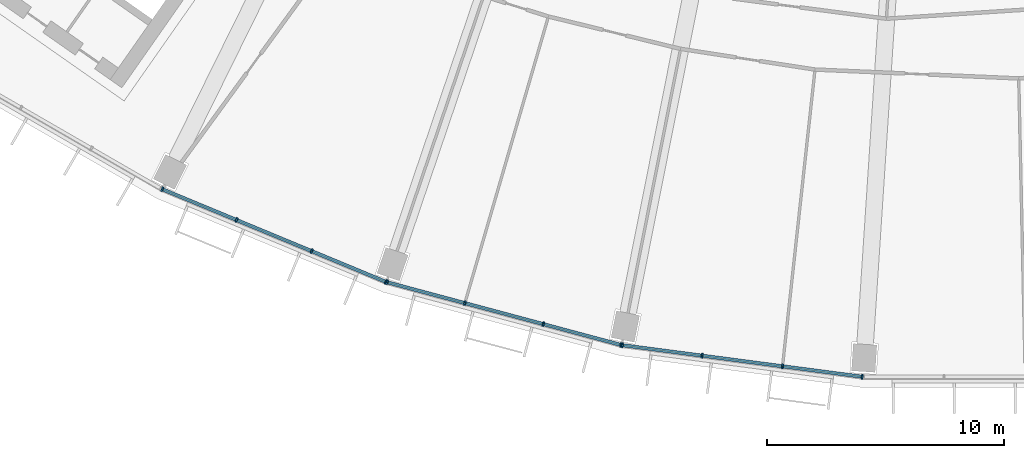
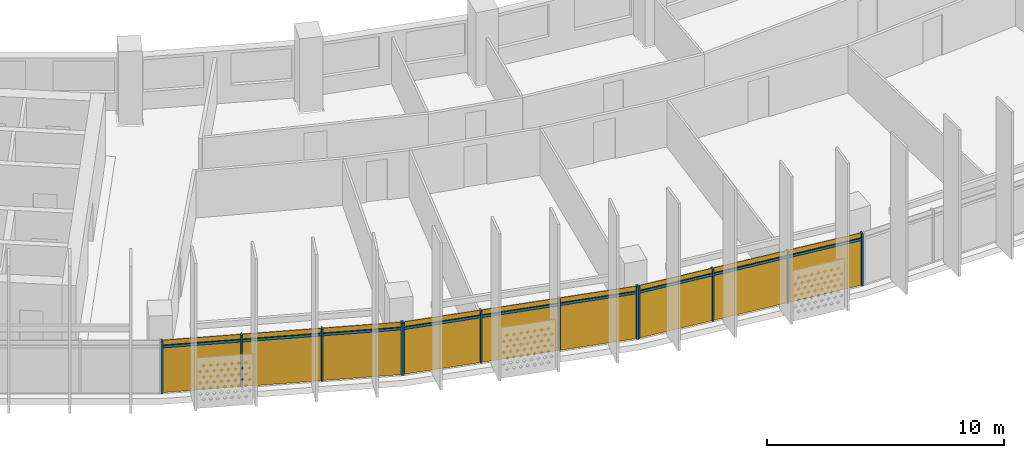
# One storey, part 17 of 30: 21 members, 3 curtain walls.
"""IFC4 building model written with IfcOpenShell, lengths in metres."""

from ifc_helpers import new_model, si_unit, direction, frame, origin, origin_2d, place, context, subcontext, project, spatial, rectangle, extrude, material, material_profile, profile_set, type_object, element, aggregate, save


model = new_model("IFC4")

# Units and contexts
model_context = context("Model", 3, precision=1e-05, world=origin(), true_north=direction((0.0, 1.0)))
body_context = subcontext(model_context, "Body", "Model", "MODEL_VIEW")
ifc_project = project(units=[si_unit("LENGTHUNIT", "METRE"), si_unit("AREAUNIT", "SQUARE_METRE"), si_unit("VOLUMEUNIT", "CUBIC_METRE"), si_unit("PLANEANGLEUNIT", "RADIAN"), si_unit("MASSUNIT", "GRAM", prefix="KILO")], contexts=[model_context])

# Member
ifc_material = material(Name="Aluminium 6063-T6 anodised", Category="aluminium")
ifc_material_profile_1 = material_profile(ifc_material, rectangle(XDim=0.199951171875, YDim=0.070068359375, at=origin_2d()))
ifc_profile_set_1 = profile_set([ifc_material_profile_1], Name="Aluminium 6063-T6 anodised")
member_type_1 = type_object("IfcMemberType", Name="Mullion 70 x 200 aluminium", PredefinedType="MULLION", material=ifc_profile_set_1)
site_placement = place(None, origin())
building_placement = place(site_placement, origin())
storey_placement = place(building_placement, frame((0.0, 0.0, 203.699951171875)))
member_1_placement = place(storey_placement, frame((-34.71533203125, -70.4599609375, 0.0), z_axis=(0.0, 0.0, 1.0), x_axis=(0.382683432365, 0.923879532511, 0.0)))
member_1 = element("IfcMember", 1, at=member_1_placement, type_object=member_type_1, Name="e-cw1-L48-out05/M00", PredefinedType="MULLION", context=body_context, shape_type="SweptSolid", body=[
    extrude(rectangle(XDim=0.199951171875, YDim=0.070068359375, at=origin_2d()), origin(), (0.0, 0.0, 1.0), 2.699951171875),
])

member_2_placement = place(storey_placement, frame((-31.57958984375, -71.759033203125, 0.0), z_axis=(0.0, 0.0, 1.0), x_axis=(0.382683432365, 0.923879532511, 0.0)))
member_2 = element("IfcMember", 2, at=member_2_placement, type_object=member_type_1, Name="e-cw1-L48-out05/M01", PredefinedType="MULLION", context=body_context, shape_type="SweptSolid", body=[
    extrude(rectangle(XDim=0.199951171875, YDim=0.070068359375, at=origin_2d()), origin(), (0.0, 0.0, 1.0), 2.699951171875),
])

member_3_placement = place(storey_placement, frame((-28.4111328125, -73.0712890625, 0.0), z_axis=(0.0, 0.0, 1.0), x_axis=(0.382683432365, 0.923879532511, 0.0)))
member_3 = element("IfcMember", 3, at=member_3_placement, type_object=member_type_1, Name="e-cw1-L48-out05/M02", PredefinedType="MULLION", context=body_context, shape_type="SweptSolid", body=[
    extrude(rectangle(XDim=0.199951171875, YDim=0.070068359375, at=origin_2d()), origin(), (0.0, 0.0, 1.0), 2.699951171875),
])

member_4_placement = place(storey_placement, frame((-25.275390625, -74.370361328125, 0.0), z_axis=(0.0, 0.0, 1.0), x_axis=(0.382683432365, 0.923879532511, 0.0)))
member_4 = element("IfcMember", 4, at=member_4_placement, type_object=member_type_1, Name="e-cw1-L48-out05/M03", PredefinedType="MULLION", context=body_context, shape_type="SweptSolid", body=[
    extrude(rectangle(XDim=0.199951171875, YDim=0.070068359375, at=origin_2d()), origin(), (0.0, 0.0, 1.0), 2.699951171875),
])

member_5_placement = place(storey_placement, frame((-25.221435546875, -74.388427734375, 0.0), z_axis=(0.0, 0.0, 1.0), x_axis=(0.258819045103, 0.965925826289, 0.0)))
member_5 = element("IfcMember", 5, at=member_5_placement, type_object=member_type_1, Name="e-cw1-L48-out06/M00", PredefinedType="MULLION", context=body_context, shape_type="SweptSolid", body=[
    extrude(rectangle(XDim=0.199951171875, YDim=0.070068359375, at=origin_2d()), origin(), (0.0, 0.0, 1.0), 2.699951171875),
])

member_6_placement = place(storey_placement, frame((-21.94287109375, -75.26708984375, 0.0), z_axis=(0.0, 0.0, 1.0), x_axis=(0.258819045103, 0.965925826289, 0.0)))
member_6 = element("IfcMember", 6, at=member_6_placement, type_object=member_type_1, Name="e-cw1-L48-out06/M01", PredefinedType="MULLION", context=body_context, shape_type="SweptSolid", body=[
    extrude(rectangle(XDim=0.199951171875, YDim=0.070068359375, at=origin_2d()), origin(), (0.0, 0.0, 1.0), 2.699951171875),
])

member_7_placement = place(storey_placement, frame((-18.63037109375, -76.154541015625, 0.0), z_axis=(0.0, 0.0, 1.0), x_axis=(0.258819045103, 0.965925826289, 0.0)))
member_7 = element("IfcMember", 7, at=member_7_placement, type_object=member_type_1, Name="e-cw1-L48-out06/M02", PredefinedType="MULLION", context=body_context, shape_type="SweptSolid", body=[
    extrude(rectangle(XDim=0.199951171875, YDim=0.070068359375, at=origin_2d()), origin(), (0.0, 0.0, 1.0), 2.699951171875),
])

member_8_placement = place(storey_placement, frame((-15.351806640625, -77.033203125, 0.0), z_axis=(0.0, 0.0, 1.0), x_axis=(0.258819045103, 0.965925826289, 0.0)))
member_8 = element("IfcMember", 8, at=member_8_placement, type_object=member_type_1, Name="e-cw1-L48-out06/M03", PredefinedType="MULLION", context=body_context, shape_type="SweptSolid", body=[
    extrude(rectangle(XDim=0.199951171875, YDim=0.070068359375, at=origin_2d()), origin(), (0.0, 0.0, 1.0), 2.699951171875),
])

member_9_placement = place(storey_placement, frame((-15.296142578125, -77.044189453125, 0.0), z_axis=(0.0, 0.0, 1.0), x_axis=(0.13052619222, 0.991444861374, 0.0)))
member_9 = element("IfcMember", 9, at=member_9_placement, type_object=member_type_1, Name="e-cw1-L48-out07/M00", PredefinedType="MULLION", context=body_context, shape_type="SweptSolid", body=[
    extrude(rectangle(XDim=0.199951171875, YDim=0.070068359375, at=origin_2d()), origin(), (0.0, 0.0, 1.0), 2.699951171875),
])

member_10_placement = place(storey_placement, frame((-11.930908203125, -77.4873046875, 0.0), z_axis=(0.0, 0.0, 1.0), x_axis=(0.13052619222, 0.991444861374, 0.0)))
member_10 = element("IfcMember", 10, at=member_10_placement, type_object=member_type_1, Name="e-cw1-L48-out07/M01", PredefinedType="MULLION", context=body_context, shape_type="SweptSolid", body=[
    extrude(rectangle(XDim=0.199951171875, YDim=0.070068359375, at=origin_2d()), origin(), (0.0, 0.0, 1.0), 2.699951171875),
])

member_11_placement = place(storey_placement, frame((-8.53076171875, -77.934814453125, 0.0), z_axis=(0.0, 0.0, 1.0), x_axis=(0.13052619222, 0.991444861374, 0.0)))
member_11 = element("IfcMember", 11, at=member_11_placement, type_object=member_type_1, Name="e-cw1-L48-out07/M02", PredefinedType="MULLION", context=body_context, shape_type="SweptSolid", body=[
    extrude(rectangle(XDim=0.199951171875, YDim=0.070068359375, at=origin_2d()), origin(), (0.0, 0.0, 1.0), 2.699951171875),
])

member_12_placement = place(storey_placement, frame((-5.16552734375, -78.3779296875, 0.0), z_axis=(0.0, 0.0, 1.0), x_axis=(0.13052619222, 0.991444861374, 0.0)))
member_12 = element("IfcMember", 12, at=member_12_placement, type_object=member_type_1, Name="e-cw1-L48-out07/M03", PredefinedType="MULLION", context=body_context, shape_type="SweptSolid", body=[
    extrude(rectangle(XDim=0.199951171875, YDim=0.070068359375, at=origin_2d()), origin(), (0.0, 0.0, 1.0), 2.699951171875),
])

ifc_material_profile_2 = material_profile(ifc_material, rectangle(XDim=0.139892578125, YDim=0.1201171875, at=origin_2d()))
ifc_profile_set_2 = profile_set([ifc_material_profile_2], Name="Aluminium 6063-T6 anodised")
member_type_2 = type_object("IfcMemberType", Name="Transom 120 x 140 aluminium", PredefinedType="USERDEFINED", material=ifc_profile_set_2)
member_13_placement = place(storey_placement, frame((-34.68310546875, -70.473388671875, 2.400146484375), z_axis=(0.923874511193, -0.382695554676, 0.0), x_axis=(0.382695554676, 0.923874511193, 0.0)))
member_13 = element("IfcMember", 13, at=member_13_placement, type_object=member_type_2, Name="e-cw1-L48-out05/T00", ObjectType="TRANSOM", PredefinedType="USERDEFINED", context=body_context, shape_type="SweptSolid", body=[
    extrude(rectangle(XDim=0.139892578125, YDim=0.1201171875, at=origin_2d()), origin(), (0.0, 0.0, 1.0), 3.324462890625),
])

member_14_placement = place(storey_placement, frame((-31.547119140625, -71.7724609375, 2.400146484375), z_axis=(0.923891938088, -0.38265348128, 0.0), x_axis=(0.38265348128, 0.923891938088, 0.0)))
member_14 = element("IfcMember", 14, at=member_14_placement, type_object=member_type_2, Name="e-cw1-L48-out05/T01", ObjectType="TRANSOM", PredefinedType="USERDEFINED", context=body_context, shape_type="SweptSolid", body=[
    extrude(rectangle(XDim=0.139892578125, YDim=0.1201171875, at=origin_2d()), origin(), (0.0, 0.0, 1.0), 3.359130859375),
])

member_15_placement = place(storey_placement, frame((-28.37890625, -73.084716796875, 2.400146484375), z_axis=(0.923874511193, -0.382695554676, 0.0), x_axis=(0.382695554676, 0.923874511193, 0.0)))
member_15 = element("IfcMember", 15, at=member_15_placement, type_object=member_type_2, Name="e-cw1-L48-out05/T02", ObjectType="TRANSOM", PredefinedType="USERDEFINED", context=body_context, shape_type="SweptSolid", body=[
    extrude(rectangle(XDim=0.139892578125, YDim=0.1201171875, at=origin_2d()), origin(), (0.0, 0.0, 1.0), 3.324462890625),
])

member_16_placement = place(storey_placement, frame((-25.187744140625, -74.3974609375, 2.400146484375), z_axis=(0.965908708139, -0.25888292246, 0.0), x_axis=(0.25888292246, 0.965908708139, 0.0)))
member_16 = element("IfcMember", 16, at=member_16_placement, type_object=member_type_2, Name="e-cw1-L48-out06/T00", ObjectType="TRANSOM", PredefinedType="USERDEFINED", context=body_context, shape_type="SweptSolid", body=[
    extrude(rectangle(XDim=0.139892578125, YDim=0.1201171875, at=origin_2d()), origin(), (0.0, 0.0, 1.0), 3.32421875),
])

member_17_placement = place(storey_placement, frame((-21.9091796875, -75.276123046875, 2.400146484375), z_axis=(0.965931507774, -0.258797840582, 0.0), x_axis=(0.258797840582, 0.965931507774, 0.0)))
member_17 = element("IfcMember", 17, at=member_17_placement, type_object=member_type_2, Name="e-cw1-L48-out06/T01", ObjectType="TRANSOM", PredefinedType="USERDEFINED", context=body_context, shape_type="SweptSolid", body=[
    extrude(rectangle(XDim=0.139892578125, YDim=0.1201171875, at=origin_2d()), origin(), (0.0, 0.0, 1.0), 3.359375),
])

member_18_placement = place(storey_placement, frame((-18.5966796875, -76.16357421875, 2.400146484375), z_axis=(0.965913629723, -0.258864559019, 0.0), x_axis=(0.258864559019, 0.965913629723, 0.0)))
member_18 = element("IfcMember", 18, at=member_18_placement, type_object=member_type_2, Name="e-cw1-L48-out06/T02", ObjectType="TRANSOM", PredefinedType="USERDEFINED", context=body_context, shape_type="SweptSolid", body=[
    extrude(rectangle(XDim=0.139892578125, YDim=0.1201171875, at=origin_2d()), origin(), (0.0, 0.0, 1.0), 3.324462890625),
])

member_19_placement = place(storey_placement, frame((-15.261474609375, -77.048828125, 2.400146484375), z_axis=(0.991447795146, -0.130503906072, 0.0), x_axis=(0.130503906072, 0.991447795146, 0.0)))
member_19 = element("IfcMember", 19, at=member_19_placement, type_object=member_type_2, Name="e-cw1-L48-out07/T00", ObjectType="TRANSOM", PredefinedType="USERDEFINED", context=body_context, shape_type="SweptSolid", body=[
    extrude(rectangle(XDim=0.139892578125, YDim=0.1201171875, at=origin_2d()), origin(), (0.0, 0.0, 1.0), 3.32421875),
])

member_20_placement = place(storey_placement, frame((-11.896240234375, -77.49169921875, 2.400146484375), z_axis=(0.991444893088, -0.130525951326, 0.0), x_axis=(0.130525951326, 0.991444893088, 0.0)))
member_20 = element("IfcMember", 20, at=member_20_placement, type_object=member_type_2, Name="e-cw1-L48-out07/T01", ObjectType="TRANSOM", PredefinedType="USERDEFINED", context=body_context, shape_type="SweptSolid", body=[
    extrude(rectangle(XDim=0.139892578125, YDim=0.1201171875, at=origin_2d()), origin(), (0.0, 0.0, 1.0), 3.359375),
])

member_21_placement = place(storey_placement, frame((-8.49609375, -77.939453125, 2.400146484375), z_axis=(0.991447795146, -0.130503906072, 0.0), x_axis=(0.130503906072, 0.991447795146, 0.0)))
member_21 = element("IfcMember", 21, at=member_21_placement, type_object=member_type_2, Name="e-cw1-L48-out07/T02", ObjectType="TRANSOM", PredefinedType="USERDEFINED", context=body_context, shape_type="SweptSolid", body=[
    extrude(rectangle(XDim=0.139892578125, YDim=0.1201171875, at=origin_2d()), origin(), (0.0, 0.0, 1.0), 3.32421875),
])

# Site, building, storey
site = spatial("IfcSite", under=ifc_project, at=site_placement, CompositionType="ELEMENT")
building = spatial("IfcBuilding", under=site, at=building_placement, Name="Qamariyya Broadcast Tower", CompositionType="ELEMENT")
storey = spatial("IfcBuildingStorey", under=building, at=storey_placement, Name="L48", CompositionType="ELEMENT", Elevation=203.699951171875)

# Curtain wall
curtain_wall_type = type_object("IfcCurtainWallType", Name="Unitised curtain wall, anodised aluminium", PredefinedType="NOTDEFINED", material=ifc_material)
curtain_wall_1_placement = place(storey_placement, origin())
curtain_wall_1 = element("IfcCurtainWall", 22, at=curtain_wall_1_placement, inside=storey, type_object=curtain_wall_type, Name="e-cw1-L48-out05", PredefinedType="NOTDEFINED", context=body_context, shape_type="SweptSolid", body=[
    extrude(rectangle(XDim=3.32421875, YDim=0.031982421875, at=origin_2d()), frame((-33.1474609375, -71.109375, 0.0), x_axis=(0.923880895135, -0.382680142683, 0.0)), (0.0, 0.0, 1.0), 2.340087890625),
    extrude(rectangle(XDim=3.32421875, YDim=0.031982421875, at=origin_2d()), frame((-33.1474609375, -71.109375, 2.4599609375), x_axis=(0.923880895135, -0.382680142683, 0.0)), (0.0, 0.0, 1.0), 0.239990234375),
    extrude(rectangle(XDim=3.359375, YDim=0.031982421875, at=origin_2d()), frame((-29.995361328125, -72.4150390625, 0.0), x_axis=(0.923880895135, -0.382680142683, 0.0)), (0.0, 0.0, 1.0), 2.340087890625),
    extrude(rectangle(XDim=3.359375, YDim=0.031982421875, at=origin_2d()), frame((-29.995361328125, -72.4150390625, 2.4599609375), x_axis=(0.923880895135, -0.382680142683, 0.0)), (0.0, 0.0, 1.0), 0.239990234375),
    extrude(rectangle(XDim=3.32421875, YDim=0.031982421875, at=origin_2d()), frame((-26.84326171875, -73.720703125, 0.0), x_axis=(0.923880895135, -0.382680142683, 0.0)), (0.0, 0.0, 1.0), 2.340087890625),
    extrude(rectangle(XDim=3.32421875, YDim=0.031982421875, at=origin_2d()), frame((-26.84326171875, -73.720703125, 2.4599609375), x_axis=(0.923880895135, -0.382680142683, 0.0)), (0.0, 0.0, 1.0), 0.239990234375),
])

aggregate(curtain_wall_1, [member_1, member_2, member_3, member_4, member_13, member_14, member_15])

curtain_wall_2_placement = place(storey_placement, origin())
curtain_wall_2 = element("IfcCurtainWall", 23, at=curtain_wall_2_placement, inside=storey, type_object=curtain_wall_type, Name="e-cw1-L48-out06", PredefinedType="NOTDEFINED", context=body_context, shape_type="SweptSolid", body=[
    extrude(rectangle(XDim=3.324462890625, YDim=0.031982421875, at=origin_2d()), frame((-23.582275390625, -74.82763671875, 0.0), x_axis=(0.965923476514, -0.258827814424, 0.0)), (0.0, 0.0, 1.0), 2.340087890625),
    extrude(rectangle(XDim=3.324462890625, YDim=0.031982421875, at=origin_2d()), frame((-23.582275390625, -74.82763671875, 2.4599609375), x_axis=(0.965923476514, -0.258827814424, 0.0)), (0.0, 0.0, 1.0), 0.239990234375),
    extrude(rectangle(XDim=3.359375, YDim=0.031982421875, at=origin_2d()), frame((-20.28662109375, -75.7109375, 0.0), x_axis=(0.965923476514, -0.258827814424, 0.0)), (0.0, 0.0, 1.0), 2.340087890625),
    extrude(rectangle(XDim=3.359375, YDim=0.031982421875, at=origin_2d()), frame((-20.28662109375, -75.7109375, 2.4599609375), x_axis=(0.965923476514, -0.258827814424, 0.0)), (0.0, 0.0, 1.0), 0.239990234375),
    extrude(rectangle(XDim=3.324462890625, YDim=0.031982421875, at=origin_2d()), frame((-16.990966796875, -76.593994140625, 0.0), x_axis=(0.965923476514, -0.258827814424, 0.0)), (0.0, 0.0, 1.0), 2.340087890625),
    extrude(rectangle(XDim=3.324462890625, YDim=0.031982421875, at=origin_2d()), frame((-16.990966796875, -76.593994140625, 2.4599609375), x_axis=(0.965923476514, -0.258827814424, 0.0)), (0.0, 0.0, 1.0), 0.239990234375),
])

aggregate(curtain_wall_2, [member_5, member_6, member_7, member_8, member_16, member_17, member_18])

curtain_wall_3_placement = place(storey_placement, origin())
curtain_wall_3 = element("IfcCurtainWall", 24, at=curtain_wall_3_placement, inside=storey, type_object=curtain_wall_type, Name="e-cw1-L48-out07", PredefinedType="NOTDEFINED", context=body_context, shape_type="SweptSolid", body=[
    extrude(rectangle(XDim=3.32421875, YDim=0.031982421875, at=origin_2d()), frame((-13.613525390625, -77.265625, 0.0), x_axis=(0.991442741341, -0.130542294457, 0.0)), (0.0, 0.0, 1.0), 2.340087890625),
    extrude(rectangle(XDim=3.32421875, YDim=0.031982421875, at=origin_2d()), frame((-13.613525390625, -77.265625, 2.4599609375), x_axis=(0.991442741341, -0.130542294457, 0.0)), (0.0, 0.0, 1.0), 0.239990234375),
    extrude(rectangle(XDim=3.359375, YDim=0.031982421875, at=origin_2d()), frame((-10.23095703125, -77.7109375, 0.0), x_axis=(0.991442741341, -0.130542294457, 0.0)), (0.0, 0.0, 1.0), 2.340087890625),
    extrude(rectangle(XDim=3.359375, YDim=0.031982421875, at=origin_2d()), frame((-10.23095703125, -77.7109375, 2.4599609375), x_axis=(0.991442741341, -0.130542294457, 0.0)), (0.0, 0.0, 1.0), 0.239990234375),
    extrude(rectangle(XDim=3.32421875, YDim=0.031982421875, at=origin_2d()), frame((-6.84814453125, -78.156494140625, 0.0), x_axis=(0.991442741341, -0.130542294457, 0.0)), (0.0, 0.0, 1.0), 2.340087890625),
    extrude(rectangle(XDim=3.32421875, YDim=0.031982421875, at=origin_2d()), frame((-6.84814453125, -78.156494140625, 2.4599609375), x_axis=(0.991442741341, -0.130542294457, 0.0)), (0.0, 0.0, 1.0), 0.239990234375),
])

aggregate(curtain_wall_3, [member_9, member_10, member_11, member_12, member_19, member_20, member_21])

save(model, "model.ifc")
